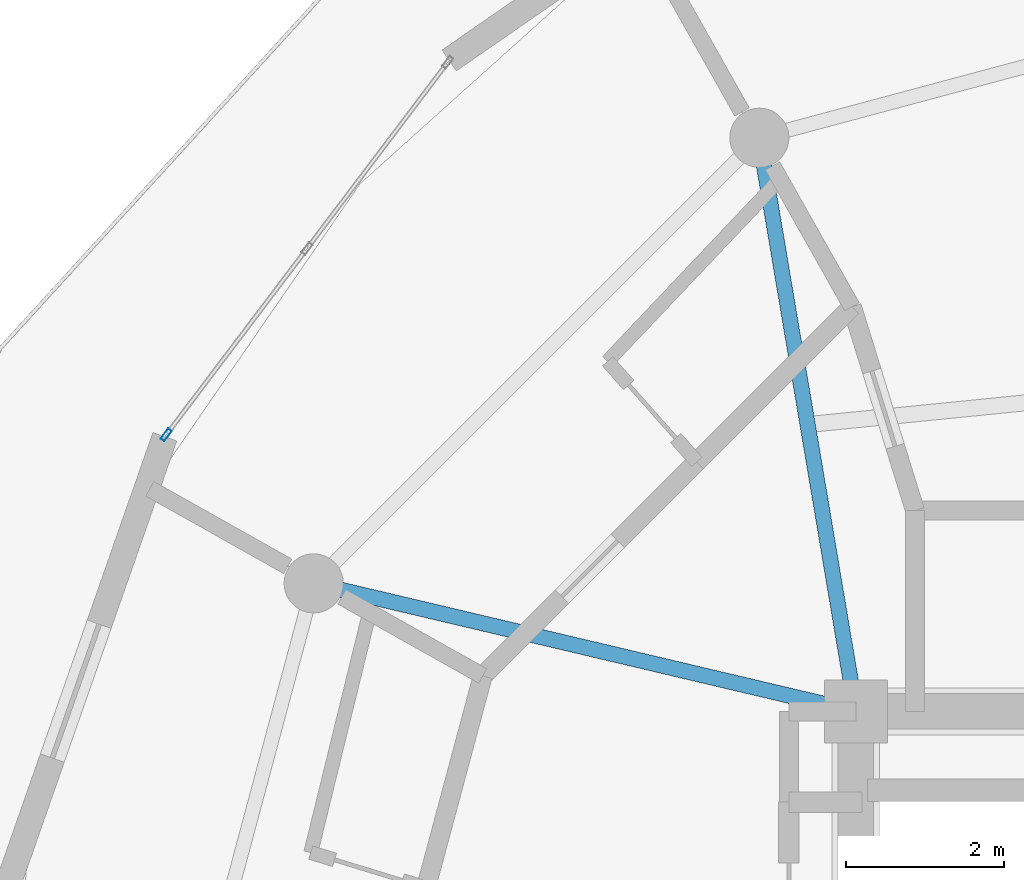
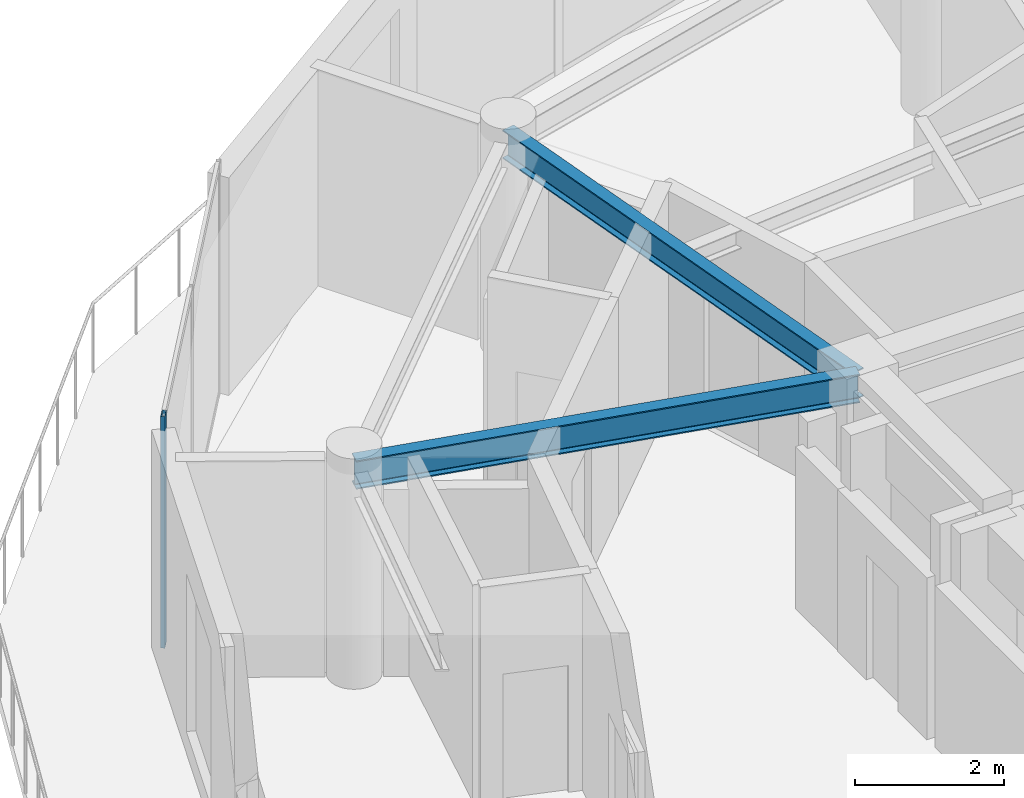
# One storey, part 2 of 16: 2 beams, 1 member, 1 element without a shape of its own.
"""IFC4 building model written with IfcOpenShell, lengths in metres."""

from ifc_helpers import new_model, si_unit, direction, frame, origin, origin_2d, place, context, subcontext, project, spatial, hollow_rectangle, i_section, extrude, source, transform, mapped, material, layer, layer_set, material_profile, profile_set, type_object, element, aggregate, save


model = new_model("IFC4")

# Units and contexts
model_context = context("Model", 3, precision=1e-05, world=origin(), true_north=direction((0.0, 1.0)))
body_context = subcontext(model_context, "Body", "Model", "MODEL_VIEW")
ifc_project = project(units=[si_unit("LENGTHUNIT", "METRE"), si_unit("AREAUNIT", "SQUARE_METRE"), si_unit("VOLUMEUNIT", "CUBIC_METRE"), si_unit("PLANEANGLEUNIT", "RADIAN"), si_unit("MASSUNIT", "GRAM", prefix="KILO")], contexts=[model_context])

# Site, building, storey
site_placement = place(None, origin())
site = spatial("IfcSite", under=ifc_project, at=site_placement, CompositionType="ELEMENT")
building_placement = place(site_placement, origin())
building = spatial("IfcBuilding", under=site, at=building_placement, Name="Solvirekh Grand Hotel", CompositionType="ELEMENT")
storey_placement = place(building_placement, frame((0.0, 0.0, 258.199951171875)))
storey = spatial("IfcBuildingStorey", under=building, at=storey_placement, Name="L67", CompositionType="ELEMENT", Elevation=258.199951171875)

# Beams
ifc_material_1 = material(Name="Steel S355", Category="steel")
ifc_material_profile_1 = material_profile(ifc_material_1, i_section(OverallWidth=0.194091796875, OverallDepth=0.468994140625, WebThickness=0.010986328125, FlangeThickness=0.01904296875, FilletRadius=0.012939453125, at=origin_2d()), Name="W460X106")
ifc_profile_set_1 = profile_set([ifc_material_profile_1], Name="Steel S355")
beam_type = type_object("IfcBeamType", Name="Beam_Radial_W460H", PredefinedType="BEAM", material=ifc_profile_set_1)
beam_1_placement = place(storey_placement, frame((-6.5, 6.10009765625, 3.3349609375), z_axis=(-0.165954049106, 0.986133486697, 0.0), x_axis=(-0.986133486697, -0.165954049106, 0.0)))
element("IfcBeam", 1, at=beam_1_placement, inside=storey, type_object=beam_type, Name="L67 radial floor beam R05", PredefinedType="BEAM", context=body_context, shape_type="SweptSolid", body=[
    extrude(i_section(OverallWidth=0.194091796875, OverallDepth=0.468994140625, WebThickness=0.010986328125, FlangeThickness=0.01904296875, FilletRadius=0.012939453125, at=origin_2d()), origin(), (0.0, 0.0, 1.0), 7.382080078125),
])
beam_2_placement = place(storey_placement, frame((-6.5, 6.10009765625, 3.3349609375), z_axis=(-0.973221147544, 0.229870828888, 0.0), x_axis=(-0.229870828888, -0.973221147544, 0.0)))
element("IfcBeam", 2, at=beam_2_placement, inside=storey, type_object=beam_type, Name="L67 radial floor beam R06", PredefinedType="BEAM", context=body_context, shape_type="SweptSolid", body=[
    extrude(i_section(OverallWidth=0.194091796875, OverallDepth=0.468994140625, WebThickness=0.010986328125, FlangeThickness=0.01904296875, FilletRadius=0.012939453125, at=origin_2d()), origin(), (0.0, 0.0, 1.0), 7.069091796875),
])

# Curtain wall, member
ifc_material_2 = material(Name="Anodized Bronze Aluminium 6063-T6", Category="aluminium")
ifc_layer = layer(ifc_material_2, 0.159912109375)
ifc_layer_set = layer_set([ifc_layer], Name="Anodized Bronze Aluminium 6063-T6")
curtain_wall_type = type_object("IfcCurtainWallType", Name="CW_Sys4_HighZoneFlushBronzeCW", PredefinedType="NOTDEFINED", material=ifc_layer_set)
curtain_wall_placement = place(storey_placement, origin())
curtain_wall = element("IfcCurtainWall", 3, at=curtain_wall_placement, inside=storey, type_object=curtain_wall_type, Name="L67 unitised bronze-glass curtain wall CW-L67-C13", PredefinedType="NOTDEFINED")
ifc_material_profile_2 = material_profile(ifc_material_2, hollow_rectangle(XDim=0.06005859375, YDim=0.159912109375, WallThickness=0.0048828125, at=origin_2d()), Name="ALU RHS 160X60X5")
ifc_profile_set_2 = profile_set([ifc_material_profile_2], Name="Anodized Bronze Aluminium 6063-T6")
member_type = type_object("IfcMemberType", Name="CWMullion_Sys4", PredefinedType="MULLION", material=ifc_profile_set_2)
shared_shape = source(origin(), body_context, "Body", "SweptSolid", [
    extrude(hollow_rectangle(XDim=0.06005859375, YDim=0.159912109375, WallThickness=0.0048828125, at=origin_2d()), origin(), (0.0, 0.0, 1.0), 3.800048828125),
])
member_placement = place(storey_placement, frame((-15.2509765625, 9.60888671875, 0.0), z_axis=(0.0, 0.0, 1.0), x_axis=(0.797849464334, -0.602856726148, 0.0)))
member = element("IfcMember", 4, at=member_placement, type_object=member_type, Name="U04 mullion 3", PredefinedType="MULLION", context=body_context, shape_type="MappedRepresentation", body=[
    mapped(shared_shape, transform((0.0, 0.0, 0.0), x_axis=(1.0, 0.0, 0.0), y_axis=(0.0, 1.0, 0.0), z_axis=(0.0, 0.0, 1.0), scale=1.0)),
])
aggregate(curtain_wall, [member])

save(model, "model.ifc")
